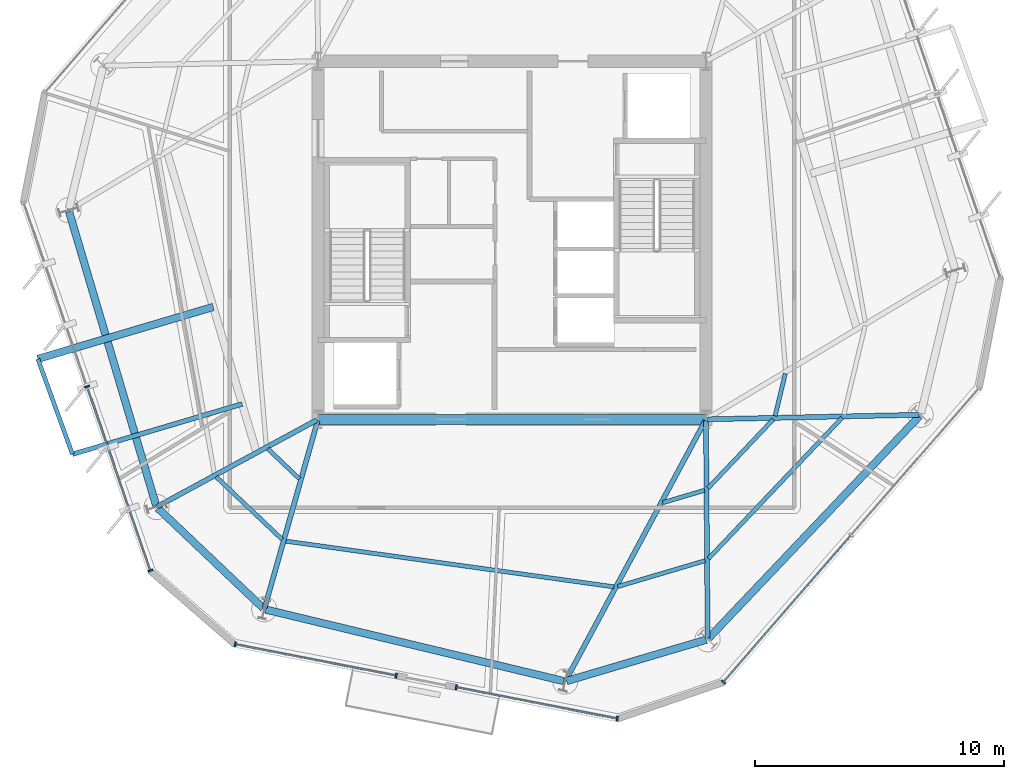
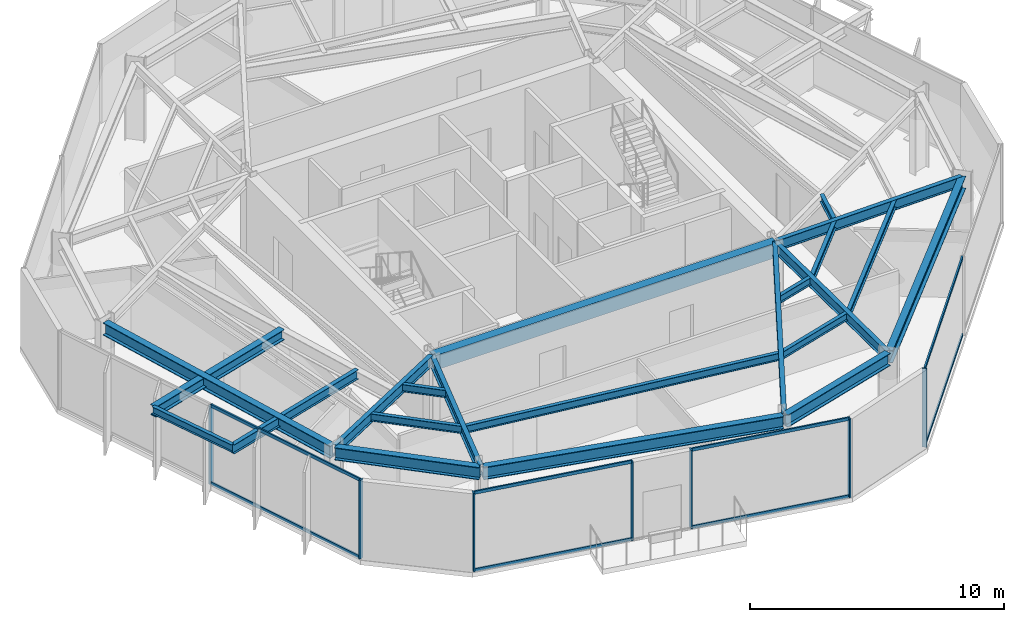
# One storey, part 2 of 11: 22 beams, 15 members, 4 elements without a shape of their own.
"""IFC4 building model written with IfcOpenShell, lengths in metres."""

from ifc_helpers import new_model, si_unit, direction, frame, origin, origin_2d, place, context, subcontext, project, spatial, rectangle, i_section, extrude, material, layer, layer_set, material_profile, profile_set, type_object, element, aggregate, save


model = new_model("IFC4")

# Units and contexts
model_context = context("Model", 3, precision=1e-05, world=origin(), true_north=direction((0.0, 1.0)))
body_context = subcontext(model_context, "Body", "Model", "MODEL_VIEW")
ifc_project = project(units=[si_unit("LENGTHUNIT", "METRE"), si_unit("AREAUNIT", "SQUARE_METRE"), si_unit("VOLUMEUNIT", "CUBIC_METRE"), si_unit("PLANEANGLEUNIT", "RADIAN"), si_unit("MASSUNIT", "GRAM", prefix="KILO")], contexts=[model_context])

# Site, building, storey
site_placement = place(None, origin())
site = spatial("IfcSite", under=ifc_project, at=site_placement, CompositionType="ELEMENT")
building_placement = place(site_placement, origin())
building = spatial("IfcBuilding", under=site, at=building_placement, Name="Kranzbogen Civic Tower", CompositionType="ELEMENT")
storey_placement = place(building_placement, frame((0.0, 0.0, 220.800048828125)))
storey = spatial("IfcBuildingStorey", under=building, at=storey_placement, Name="L53", CompositionType="ELEMENT", Elevation=220.800048828125)

# Beams
ifc_material_1 = material(Name="Steel S355", Category="steel")
ifc_material_profile_1 = material_profile(ifc_material_1, i_section(OverallWidth=0.18994140625, OverallDepth=0.449951171875, WebThickness=0.009521484375, FlangeThickness=0.0146484375, at=origin_2d()), Name="IPE 450")
ifc_profile_set_1 = profile_set([ifc_material_profile_1], Name="Steel S355")
beam_type_1 = type_object("IfcBeamType", Name="Braced Terrace Edge Beam IPE 450", PredefinedType="BEAM", material=ifc_profile_set_1)
beam_1_placement = place(storey_placement, frame((14.14892578125, 18.4169921875, 3.52490234375), z_axis=(-0.958811265761, -0.284043934365, 0.0), x_axis=(0.284043934365, -0.958811265761, 0.0)))
element("IfcBeam", 1, at=beam_1_placement, inside=storey, type_object=beam_type_1, Name="L54 back-spanned terrace beam L54-TB1-2", PredefinedType="BEAM", context=body_context, shape_type="SweptSolid", body=[
    extrude(i_section(OverallWidth=0.18994140625, OverallDepth=0.449951171875, WebThickness=0.009521484375, FlangeThickness=0.0146484375, at=origin_2d()), origin(), (0.0, 0.0, 1.0), 7.114990234375),
])
ifc_material_2 = material(Name="Concrete C40/50", Category="concrete")
ifc_material_profile_2 = material_profile(ifc_material_2, rectangle(XDim=0.39990234375, YDim=0.699951171875, at=origin_2d()), Name="RC-BM 400x700")
ifc_profile_set_2 = profile_set([ifc_material_profile_2], Name="Concrete C40/50")
beam_type_2 = type_object("IfcBeamType", Name="Core Coupling Lintel Beam 400x700", PredefinedType="LINTEL", material=ifc_profile_set_2)
beam_2_placement = place(storey_placement, frame((17.199951171875, 17.800048828125, 3.429931640625), z_axis=(1.0, 0.0, 0.0), x_axis=(0.0, 1.0, 0.0)))
element("IfcBeam", 2, at=beam_2_placement, inside=storey, type_object=beam_type_2, Name="L53 core South coupling lintel beam", PredefinedType="LINTEL", context=body_context, shape_type="SweptSolid", body=[
    extrude(rectangle(XDim=0.39990234375, YDim=0.699951171875, at=origin_2d()), origin(), (0.0, 0.0, 1.0), 15.60009765625),
])

# Curtain wall, members
ifc_material_3 = material(Name="Pale Anodised Aluminium", Category="aluminium")
ifc_layer = layer(ifc_material_3, 0.219970703125, Name="Pale Anodised Aluminium")
ifc_layer_set = layer_set([ifc_layer], Name="Pale Anodised Aluminium")
curtain_wall_type = type_object("IfcCurtainWallType", Name="Zone 3 Stick Curtain Wall System CW-04", PredefinedType="USERDEFINED", material=ifc_layer_set)
curtain_wall_1_placement = place(storey_placement, origin())
curtain_wall_1 = element("IfcCurtainWall", 3, at=curtain_wall_1_placement, inside=storey, type_object=curtain_wall_type, Name="L53 curtain wall CW-L53-F3", ObjectType="STICK CURTAIN WALL", PredefinedType="USERDEFINED")
ifc_material_profile_3 = material_profile(ifc_material_3, rectangle(XDim=0.070068359375, YDim=0.199951171875, at=origin_2d()), Name="ALU-M 70x200")
ifc_profile_set_3 = profile_set([ifc_material_profile_3], Name="Pale Anodised Aluminium")
member_type_1 = type_object("IfcMemberType", Name="Curtain Wall Mullion ALU-M 70x200", PredefinedType="MULLION", material=ifc_profile_set_3)
member_1_placement = place(storey_placement, frame((7.9130859375, 19.116455078125, 0.0), z_axis=(0.0, 0.0, 1.0), x_axis=(0.325590387457, -0.945510919871, 0.0)))
member_1 = element("IfcMember", 4, at=member_1_placement, type_object=member_type_1, Name="CW-04 mullion 2", PredefinedType="MULLION", context=body_context, shape_type="SweptSolid", body=[
    extrude(rectangle(XDim=0.070068359375, YDim=0.199951171875, at=origin_2d()), origin(), (0.0, 0.0, 1.0), 3.780029296875),
])
member_2_placement = place(storey_placement, frame((10.460205078125, 11.719482421875, 0.0), z_axis=(0.0, 0.0, 1.0), x_axis=(0.325590387457, -0.945510919871, 0.0)))
member_2 = element("IfcMember", 5, at=member_2_placement, type_object=member_type_1, Name="CW-04 mullion 3", PredefinedType="MULLION", context=body_context, shape_type="SweptSolid", body=[
    extrude(rectangle(XDim=0.070068359375, YDim=0.199951171875, at=origin_2d()), origin(), (0.0, 0.0, 1.0), 3.780029296875),
])

curtain_wall_2_placement = place(storey_placement, origin())
curtain_wall_2 = element("IfcCurtainWall", 6, at=curtain_wall_2_placement, inside=storey, type_object=curtain_wall_type, Name="L53 curtain wall CW-L53-F4-S1", ObjectType="STICK CURTAIN WALL", PredefinedType="USERDEFINED")
member_3_placement = place(storey_placement, frame((13.871337890625, 8.753173828125, 0.0), z_axis=(0.0, 0.0, 1.0), x_axis=(0.981641195135, -0.190736897361, 0.0)))
member_3 = element("IfcMember", 7, at=member_3_placement, type_object=member_type_1, Name="CW-04 mullion 1", PredefinedType="MULLION", context=body_context, shape_type="SweptSolid", body=[
    extrude(rectangle(XDim=0.070068359375, YDim=0.199951171875, at=origin_2d()), origin(), (0.0, 0.0, 1.0), 3.780029296875),
])
member_4_placement = place(storey_placement, frame((20.343505859375, 7.49560546875, 0.0), z_axis=(0.0, 0.0, 1.0), x_axis=(0.981641195135, -0.190736897361, 0.0)))
member_4 = element("IfcMember", 8, at=member_4_placement, type_object=member_type_1, Name="CW-04 mullion 2", PredefinedType="MULLION", context=body_context, shape_type="SweptSolid", body=[
    extrude(rectangle(XDim=0.070068359375, YDim=0.199951171875, at=origin_2d()), origin(), (0.0, 0.0, 1.0), 3.780029296875),
])

curtain_wall_3_placement = place(storey_placement, origin())
curtain_wall_3 = element("IfcCurtainWall", 9, at=curtain_wall_3_placement, inside=storey, type_object=curtain_wall_type, Name="L53 curtain wall CW-L53-F4-S2", ObjectType="STICK CURTAIN WALL", PredefinedType="USERDEFINED")
member_5_placement = place(storey_placement, frame((22.758544921875, 7.0263671875, 0.0), z_axis=(0.0, 0.0, 1.0), x_axis=(0.981623990701, -0.190825419902, 0.0)))
member_5 = element("IfcMember", 10, at=member_5_placement, type_object=member_type_1, Name="CW-04 mullion 1", PredefinedType="MULLION", context=body_context, shape_type="SweptSolid", body=[
    extrude(rectangle(XDim=0.070068359375, YDim=0.199951171875, at=origin_2d()), origin(), (0.0, 0.0, 1.0), 3.780029296875),
])
member_6_placement = place(storey_placement, frame((29.232666015625, 5.767822265625, 0.0), z_axis=(0.0, 0.0, 1.0), x_axis=(0.981623990701, -0.190825419902, 0.0)))
member_6 = element("IfcMember", 11, at=member_6_placement, type_object=member_type_1, Name="CW-04 mullion 2", PredefinedType="MULLION", context=body_context, shape_type="SweptSolid", body=[
    extrude(rectangle(XDim=0.070068359375, YDim=0.199951171875, at=origin_2d()), origin(), (0.0, 0.0, 1.0), 3.780029296875),
])

# Curtain wall, member
curtain_wall_4_placement = place(storey_placement, origin())
curtain_wall_4 = element("IfcCurtainWall", 12, at=curtain_wall_4_placement, inside=storey, type_object=curtain_wall_type, Name="L53 curtain wall CW-L53-F5", ObjectType="STICK CURTAIN WALL", PredefinedType="USERDEFINED")
member_7_placement = place(storey_placement, frame((33.505615234375, 7.238525390625, 0.0), z_axis=(0.0, 0.0, 1.0), x_axis=(0.656044731829, 0.754722008318, 0.0)))
member_7 = element("IfcMember", 13, at=member_7_placement, type_object=member_type_1, Name="CW-04 mullion 1", PredefinedType="MULLION", context=body_context, shape_type="SweptSolid", body=[
    extrude(rectangle(XDim=0.070068359375, YDim=0.199951171875, at=origin_2d()), origin(), (0.0, 0.0, 1.0), 3.780029296875),
])

# Member
ifc_material_profile_4 = material_profile(ifc_material_3, rectangle(XDim=0.070068359375, YDim=0.14990234375, at=origin_2d()), Name="ALU-T 70x150")
ifc_profile_set_4 = profile_set([ifc_material_profile_4], Name="Pale Anodised Aluminium")
member_type_2 = type_object("IfcMemberType", Name="Curtain Wall Transom ALU-T 70x150", PredefinedType="USERDEFINED", material=ifc_profile_set_4)
member_8_placement = place(storey_placement, frame((7.9228515625, 19.088134765625, 0.030029296875), z_axis=(0.325580692964, -0.945514258152, 0.0), x_axis=(0.945514258152, 0.325580692964, 0.0)))
member_8 = element("IfcMember", 14, at=member_8_placement, type_object=member_type_2, Name="CW-04 transom 2.1", ObjectType="TRANSOM", PredefinedType="USERDEFINED", context=body_context, shape_type="SweptSolid", body=[
    extrude(rectangle(XDim=0.070068359375, YDim=0.14990234375, at=origin_2d()), origin(), (0.0, 0.0, 1.0), 7.763427734375),
])

member_9_placement = place(storey_placement, frame((7.9228515625, 19.088134765625, 3.75), z_axis=(0.325580692964, -0.945514258152, 0.0), x_axis=(0.945514258152, 0.325580692964, 0.0)))
member_9 = element("IfcMember", 15, at=member_9_placement, type_object=member_type_2, Name="CW-04 transom 2.2", ObjectType="TRANSOM", PredefinedType="USERDEFINED", context=body_context, shape_type="SweptSolid", body=[
    extrude(rectangle(XDim=0.070068359375, YDim=0.14990234375, at=origin_2d()), origin(), (0.0, 0.0, 1.0), 7.763427734375),
])

aggregate(curtain_wall_1, [member_1, member_2, member_8, member_9])

member_10_placement = place(storey_placement, frame((13.90087890625, 8.74755859375, 0.030029296875), z_axis=(0.981642413202, -0.190730628383, 0.0), x_axis=(0.190730628383, 0.981642413202, 0.0)))
member_10 = element("IfcMember", 16, at=member_10_placement, type_object=member_type_2, Name="CW-04 transom 1.1", ObjectType="TRANSOM", PredefinedType="USERDEFINED", context=body_context, shape_type="SweptSolid", body=[
    extrude(rectangle(XDim=0.070068359375, YDim=0.14990234375, at=origin_2d()), origin(), (0.0, 0.0, 1.0), 6.533203125),
])

member_11_placement = place(storey_placement, frame((13.90087890625, 8.74755859375, 3.75), z_axis=(0.981642413202, -0.190730628383, 0.0), x_axis=(0.190730628383, 0.981642413202, 0.0)))
member_11 = element("IfcMember", 17, at=member_11_placement, type_object=member_type_2, Name="CW-04 transom 1.2", ObjectType="TRANSOM", PredefinedType="USERDEFINED", context=body_context, shape_type="SweptSolid", body=[
    extrude(rectangle(XDim=0.070068359375, YDim=0.14990234375, at=origin_2d()), origin(), (0.0, 0.0, 1.0), 6.533203125),
])

aggregate(curtain_wall_2, [member_3, member_4, member_10, member_11])

member_12_placement = place(storey_placement, frame((22.787841796875, 7.0205078125, 0.030029296875), z_axis=(0.981625303873, -0.190818664695, 0.0), x_axis=(0.190818664695, 0.981625303873, 0.0)))
member_12 = element("IfcMember", 18, at=member_12_placement, type_object=member_type_2, Name="CW-04 transom 1.1", ObjectType="TRANSOM", PredefinedType="USERDEFINED", context=body_context, shape_type="SweptSolid", body=[
    extrude(rectangle(XDim=0.070068359375, YDim=0.14990234375, at=origin_2d()), origin(), (0.0, 0.0, 1.0), 6.535400390625),
])

member_13_placement = place(storey_placement, frame((22.787841796875, 7.0205078125, 3.75), z_axis=(0.981625303873, -0.190818664695, 0.0), x_axis=(0.190818664695, 0.981625303873, 0.0)))
member_13 = element("IfcMember", 19, at=member_13_placement, type_object=member_type_2, Name="CW-04 transom 1.2", ObjectType="TRANSOM", PredefinedType="USERDEFINED", context=body_context, shape_type="SweptSolid", body=[
    extrude(rectangle(XDim=0.070068359375, YDim=0.14990234375, at=origin_2d()), origin(), (0.0, 0.0, 1.0), 6.535400390625),
])

aggregate(curtain_wall_3, [member_5, member_6, member_12, member_13])

member_14_placement = place(storey_placement, frame((33.525390625, 7.26123046875, 0.030029296875), z_axis=(0.656045577915, 0.754721272854, 0.0), x_axis=(-0.754721272854, 0.656045577915, 0.0)))
member_14 = element("IfcMember", 20, at=member_14_placement, type_object=member_type_2, Name="CW-04 transom 1.1", ObjectType="TRANSOM", PredefinedType="USERDEFINED", context=body_context, shape_type="SweptSolid", body=[
    extrude(rectangle(XDim=0.070068359375, YDim=0.14990234375, at=origin_2d()), origin(), (0.0, 0.0, 1.0), 7.763916015625),
])

member_15_placement = place(storey_placement, frame((33.525390625, 7.26123046875, 3.75), z_axis=(0.656045577915, 0.754721272854, 0.0), x_axis=(-0.754721272854, 0.656045577915, 0.0)))
member_15 = element("IfcMember", 21, at=member_15_placement, type_object=member_type_2, Name="CW-04 transom 1.2", ObjectType="TRANSOM", PredefinedType="USERDEFINED", context=body_context, shape_type="SweptSolid", body=[
    extrude(rectangle(XDim=0.070068359375, YDim=0.14990234375, at=origin_2d()), origin(), (0.0, 0.0, 1.0), 7.763916015625),
])

aggregate(curtain_wall_4, [member_7, member_14, member_15])

# Beams
ifc_material_profile_5 = material_profile(ifc_material_1, i_section(OverallWidth=0.300048828125, OverallDepth=0.5, WebThickness=0.014404296875, FlangeThickness=0.028076171875, at=origin_2d()), Name="HEB 500")
ifc_profile_set_5 = profile_set([ifc_material_profile_5], Name="Steel S355")
beam_type_3 = type_object("IfcBeamType", Name="Perimeter Tube Spandrel Beam HEB 500", PredefinedType="SPANDREL", material=ifc_profile_set_5)
beam_3_placement = place(storey_placement, frame((12.985107421875, 22.320068359375, 3.5), z_axis=(-0.95878907248, -0.284118838681, 0.0), x_axis=(0.284118838681, -0.95878907248, 0.0)))
element("IfcBeam", 22, at=beam_3_placement, inside=storey, type_object=beam_type_3, Name="L54 back-spanned terrace beam L54-TB1-1", PredefinedType="SPANDREL", context=body_context, shape_type="SweptSolid", body=[
    extrude(i_section(OverallWidth=0.300048828125, OverallDepth=0.5, WebThickness=0.014404296875, FlangeThickness=0.028076171875, at=origin_2d()), origin(), (0.0, 0.0, 1.0), 7.3564453125),
])
ifc_material_profile_6 = material_profile(ifc_material_1, i_section(OverallWidth=0.300048828125, OverallDepth=0.60009765625, WebThickness=0.015380859375, FlangeThickness=0.030029296875, at=origin_2d()), Name="HEB 600")
ifc_profile_set_6 = profile_set([ifc_material_profile_6], Name="Steel S355")
beam_type_4 = type_object("IfcBeamType", Name="Perimeter Tube Spandrel Beam HEB 600", PredefinedType="SPANDREL", material=ifc_profile_set_6)
beam_4_placement = place(storey_placement, frame((10.7509765625, 14.235107421875, 3.47998046875), z_axis=(0.725245206788, -0.688490660816, 0.0), x_axis=(0.688490660816, 0.725245206788, 0.0)))
element("IfcBeam", 23, at=beam_4_placement, inside=storey, type_object=beam_type_4, Name="L53 perimeter spandrel beam 01", PredefinedType="SPANDREL", context=body_context, shape_type="SweptSolid", body=[
    extrude(i_section(OverallWidth=0.300048828125, OverallDepth=0.60009765625, WebThickness=0.015380859375, FlangeThickness=0.030029296875, at=origin_2d()), origin(), (0.0, 0.0, 1.0), 5.85205078125),
])
beam_5_placement = place(storey_placement, frame((15.096923828125, 10.15087890625, 3.47998046875), z_axis=(0.972377592092, -0.233413406637, 0.0), x_axis=(0.233413406637, 0.972377592092, 0.0)))
element("IfcBeam", 24, at=beam_5_placement, inside=storey, type_object=beam_type_4, Name="L53 perimeter spandrel beam 02", PredefinedType="SPANDREL", context=body_context, shape_type="SweptSolid", body=[
    extrude(i_section(OverallWidth=0.300048828125, OverallDepth=0.60009765625, WebThickness=0.015380859375, FlangeThickness=0.030029296875, at=origin_2d()), origin(), (0.0, 0.0, 1.0), 12.32568359375),
])
beam_6_placement = place(storey_placement, frame((27.197998046875, 7.277099609375, 3.47998046875), z_axis=(0.9588296723, 0.283981794341, 0.0), x_axis=(-0.283981794341, 0.9588296723, 0.0)))
element("IfcBeam", 25, at=beam_6_placement, inside=storey, type_object=beam_type_4, Name="L53 perimeter spandrel beam 03", PredefinedType="SPANDREL", context=body_context, shape_type="SweptSolid", body=[
    extrude(i_section(OverallWidth=0.300048828125, OverallDepth=0.60009765625, WebThickness=0.015380859375, FlangeThickness=0.030029296875, at=origin_2d()), origin(), (0.0, 0.0, 1.0), 5.85205078125),
])
beam_7_placement = place(storey_placement, frame((32.907958984375, 9.0, 3.47998046875), z_axis=(0.688373497874, 0.725356414065, 0.0), x_axis=(-0.725356414065, 0.688373497874, 0.0)))
element("IfcBeam", 26, at=beam_7_placement, inside=storey, type_object=beam_type_4, Name="L53 perimeter spandrel beam 04", PredefinedType="SPANDREL", context=body_context, shape_type="SweptSolid", body=[
    extrude(i_section(OverallWidth=0.300048828125, OverallDepth=0.60009765625, WebThickness=0.015380859375, FlangeThickness=0.030029296875, at=origin_2d()), origin(), (0.0, 0.0, 1.0), 12.324951171875),
])
beam_8_placement = place(storey_placement, frame((7.18896484375, 26.15087890625, 3.47998046875), z_axis=(0.284064048956, -0.958805306666, 0.0), x_axis=(0.958805306666, 0.284064048956, 0.0)))
element("IfcBeam", 27, at=beam_8_placement, inside=storey, type_object=beam_type_4, Name="L53 perimeter spandrel beam 12", PredefinedType="SPANDREL", context=body_context, shape_type="SweptSolid", body=[
    extrude(i_section(OverallWidth=0.300048828125, OverallDepth=0.60009765625, WebThickness=0.015380859375, FlangeThickness=0.030029296875, at=origin_2d()), origin(), (0.0, 0.0, 1.0), 12.32470703125),
])
ifc_material_profile_7 = material_profile(ifc_material_1, i_section(OverallWidth=0.199951171875, OverallDepth=0.5, WebThickness=0.01025390625, FlangeThickness=0.01611328125, at=origin_2d()), Name="IPE 500")
ifc_profile_set_7 = profile_set([ifc_material_profile_7], Name="Steel S355")
beam_type_5 = type_object("IfcBeamType", Name="Radial Tower Floor Girder IPE 500", PredefinedType="BEAM", material=ifc_profile_set_7)
beam_9_placement = place(storey_placement, frame((10.760009765625, 14.304931640625, 3.530029296875), z_axis=(0.878919430102, 0.476970266777, 0.0), x_axis=(-0.476970266777, 0.878919430102, 0.0)))
element("IfcBeam", 28, at=beam_9_placement, inside=storey, type_object=beam_type_5, Name="L53 radial floor girder 01", PredefinedType="BEAM", context=body_context, shape_type="SweptSolid", body=[
    extrude(i_section(OverallWidth=0.199951171875, OverallDepth=0.5, WebThickness=0.01025390625, FlangeThickness=0.01611328125, at=origin_2d()), origin(), (0.0, 0.0, 1.0), 7.266845703125),
])
beam_10_placement = place(storey_placement, frame((15.054931640625, 10.222900390625, 3.530029296875), z_axis=(0.272455078988, 0.962168503919, 0.0), x_axis=(-0.962168503919, 0.272455078988, 0.0)))
element("IfcBeam", 29, at=beam_10_placement, inside=storey, type_object=beam_type_5, Name="L53 radial floor girder 02", PredefinedType="BEAM", context=body_context, shape_type="SweptSolid", body=[
    extrude(i_section(OverallWidth=0.199951171875, OverallDepth=0.5, WebThickness=0.01025390625, FlangeThickness=0.01611328125, at=origin_2d()), origin(), (0.0, 0.0, 1.0), 7.814697265625),
])
beam_11_placement = place(storey_placement, frame((27.16796875, 7.31298828125, 3.530029296875), z_axis=(0.473160413549, 0.880976289721, 0.0), x_axis=(-0.880976289721, 0.473160413549, 0.0)))
element("IfcBeam", 30, at=beam_11_placement, inside=storey, type_object=beam_type_5, Name="L53 radial floor girder 03", PredefinedType="BEAM", context=body_context, shape_type="SweptSolid", body=[
    extrude(i_section(OverallWidth=0.199951171875, OverallDepth=0.5, WebThickness=0.01025390625, FlangeThickness=0.01611328125, at=origin_2d()), origin(), (0.0, 0.0, 1.0), 11.84375),
])
beam_12_placement = place(storey_placement, frame((32.866943359375, 9.01611328125, 3.530029296875), z_axis=(-0.007667756557, 0.999970602323, 0.0), x_axis=(-0.999970602323, -0.007667756557, 0.0)))
element("IfcBeam", 31, at=beam_12_placement, inside=storey, type_object=beam_type_5, Name="L53 radial floor girder 04", PredefinedType="BEAM", context=body_context, shape_type="SweptSolid", body=[
    extrude(i_section(OverallWidth=0.199951171875, OverallDepth=0.5, WebThickness=0.01025390625, FlangeThickness=0.01611328125, at=origin_2d()), origin(), (0.0, 0.0, 1.0), 8.72412109375),
])
beam_13_placement = place(storey_placement, frame((41.373046875, 17.98291015625, 3.530029296875), z_axis=(-0.99977183191, -0.021360808018, 0.0), x_axis=(0.021360808018, -0.99977183191, 0.0)))
element("IfcBeam", 32, at=beam_13_placement, inside=storey, type_object=beam_type_5, Name="L53 radial floor girder 05", PredefinedType="BEAM", context=body_context, shape_type="SweptSolid", body=[
    extrude(i_section(OverallWidth=0.199951171875, OverallDepth=0.5, WebThickness=0.01025390625, FlangeThickness=0.01611328125, at=origin_2d()), origin(), (0.0, 0.0, 1.0), 8.514892578125),
])
ifc_material_profile_8 = material_profile(ifc_material_1, i_section(OverallWidth=0.169921875, OverallDepth=0.360107421875, WebThickness=0.008056640625, FlangeThickness=0.0126953125, at=origin_2d()), Name="IPE 360")
ifc_profile_set_8 = profile_set([ifc_material_profile_8], Name="Steel S355")
beam_type_6 = type_object("IfcBeamType", Name="Secondary Composite Floor Joist IPE 360", PredefinedType="JOIST", material=ifc_profile_set_8)
beam_14_placement = place(storey_placement, frame((13.10302734375, 15.489990234375, 3.599853515625), z_axis=(0.725300648604, -0.688432254572, 0.0), x_axis=(0.688432254572, 0.725300648604, 0.0)))
element("IfcBeam", 33, at=beam_14_placement, inside=storey, type_object=beam_type_6, Name="L53 secondary floor joist 1.01", PredefinedType="JOIST", context=body_context, shape_type="SweptSolid", body=[
    extrude(i_section(OverallWidth=0.169921875, OverallDepth=0.360107421875, WebThickness=0.008056640625, FlangeThickness=0.0126953125, at=origin_2d()), origin(), (0.0, 0.0, 1.0), 3.661865234375),
])
beam_15_placement = place(storey_placement, frame((15.179931640625, 16.616943359375, 3.599853515625), z_axis=(0.725479767774, -0.688243493649, 0.0), x_axis=(0.688243493649, 0.725479767774, 0.0)))
element("IfcBeam", 34, at=beam_15_placement, inside=storey, type_object=beam_type_6, Name="L53 secondary floor joist 2.01", PredefinedType="JOIST", context=body_context, shape_type="SweptSolid", body=[
    extrude(i_section(OverallWidth=0.169921875, OverallDepth=0.360107421875, WebThickness=0.008056640625, FlangeThickness=0.0126953125, at=origin_2d()), origin(), (0.0, 0.0, 1.0), 1.75048828125),
])
beam_16_placement = place(storey_placement, frame((15.89599609375, 12.903076171875, 3.599853515625), z_axis=(0.990445837232, -0.137902296968, 0.0), x_axis=(0.137902296968, 0.990445837232, 0.0)))
element("IfcBeam", 35, at=beam_16_placement, inside=storey, type_object=beam_type_6, Name="L53 secondary floor joist 1.02", PredefinedType="JOIST", context=body_context, shape_type="SweptSolid", body=[
    extrude(i_section(OverallWidth=0.169921875, OverallDepth=0.360107421875, WebThickness=0.008056640625, FlangeThickness=0.0126953125, at=origin_2d()), origin(), (0.0, 0.0, 1.0), 13.329345703125),
])
beam_17_placement = place(storey_placement, frame((29.25390625, 11.076904296875, 3.599853515625), z_axis=(0.958843823165, 0.283934011309, 0.0), x_axis=(-0.283934011309, 0.958843823165, 0.0)))
element("IfcBeam", 36, at=beam_17_placement, inside=storey, type_object=beam_type_6, Name="L53 secondary floor joist 1.03", PredefinedType="JOIST", context=body_context, shape_type="SweptSolid", body=[
    extrude(i_section(OverallWidth=0.169921875, OverallDepth=0.360107421875, WebThickness=0.008056640625, FlangeThickness=0.0126953125, at=origin_2d()), origin(), (0.0, 0.0, 1.0), 3.662841796875),
])
beam_18_placement = place(storey_placement, frame((31.06591796875, 14.449951171875, 3.599853515625), z_axis=(0.958871214757, 0.283841493638, 0.0), x_axis=(-0.283841493638, 0.958871214757, 0.0)))
element("IfcBeam", 37, at=beam_18_placement, inside=storey, type_object=beam_type_6, Name="L53 secondary floor joist 2.03", PredefinedType="JOIST", context=body_context, shape_type="SweptSolid", body=[
    extrude(i_section(OverallWidth=0.169921875, OverallDepth=0.360107421875, WebThickness=0.008056640625, FlangeThickness=0.0126953125, at=origin_2d()), origin(), (0.0, 0.0, 1.0), 1.751220703125),
])
beam_19_placement = place(storey_placement, frame((32.89794921875, 12.197998046875, 3.599853515625), z_axis=(0.688282381634, 0.725442873789, 0.0), x_axis=(-0.725442873789, 0.688282381634, 0.0)))
element("IfcBeam", 38, at=beam_19_placement, inside=storey, type_object=beam_type_6, Name="L53 secondary floor joist 1.04", PredefinedType="JOIST", context=body_context, shape_type="SweptSolid", body=[
    extrude(i_section(OverallWidth=0.169921875, OverallDepth=0.360107421875, WebThickness=0.008056640625, FlangeThickness=0.0126953125, at=origin_2d()), origin(), (0.0, 0.0, 1.0), 7.804931640625),
])
beam_20_placement = place(storey_placement, frame((32.876953125, 15.028076171875, 3.599853515625), z_axis=(0.688175084876, 0.725544659243, 0.0), x_axis=(-0.725544659243, 0.688175084876, 0.0)))
element("IfcBeam", 39, at=beam_20_placement, inside=storey, type_object=beam_type_6, Name="L53 secondary floor joist 2.04", PredefinedType="JOIST", context=body_context, shape_type="SweptSolid", body=[
    extrude(i_section(OverallWidth=0.169921875, OverallDepth=0.360107421875, WebThickness=0.008056640625, FlangeThickness=0.0126953125, at=origin_2d()), origin(), (0.0, 0.0, 1.0), 3.82177734375),
])
beam_21_placement = place(storey_placement, frame((35.5810546875, 17.93701171875, 3.599853515625), z_axis=(0.233631438607, 0.972325228972, 0.0), x_axis=(-0.972325228972, 0.233631438607, 0.0)))
element("IfcBeam", 40, at=beam_21_placement, inside=storey, type_object=beam_type_6, Name="L53 secondary floor joist 2.05", PredefinedType="JOIST", context=body_context, shape_type="SweptSolid", body=[
    extrude(i_section(OverallWidth=0.169921875, OverallDepth=0.360107421875, WebThickness=0.008056640625, FlangeThickness=0.0126953125, at=origin_2d()), origin(), (0.0, 0.0, 1.0), 1.750244140625),
])
beam_22_placement = place(storey_placement, frame((5.931884765625, 20.22998046875, 3.570068359375), z_axis=(0.341925634089, -0.939727013953, 0.0), x_axis=(0.939727013953, 0.341925634089, 0.0)))
element("IfcBeam", 41, at=beam_22_placement, inside=storey, type_object=beam_type_6, Name="L54 terrace outer edge trimmer L54-TB1", PredefinedType="JOIST", context=body_context, shape_type="SweptSolid", body=[
    extrude(i_section(OverallWidth=0.169921875, OverallDepth=0.360107421875, WebThickness=0.008056640625, FlangeThickness=0.0126953125, at=origin_2d()), origin(), (0.0, 0.0, 1.0), 4.079833984375),
])

save(model, "model.ifc")
